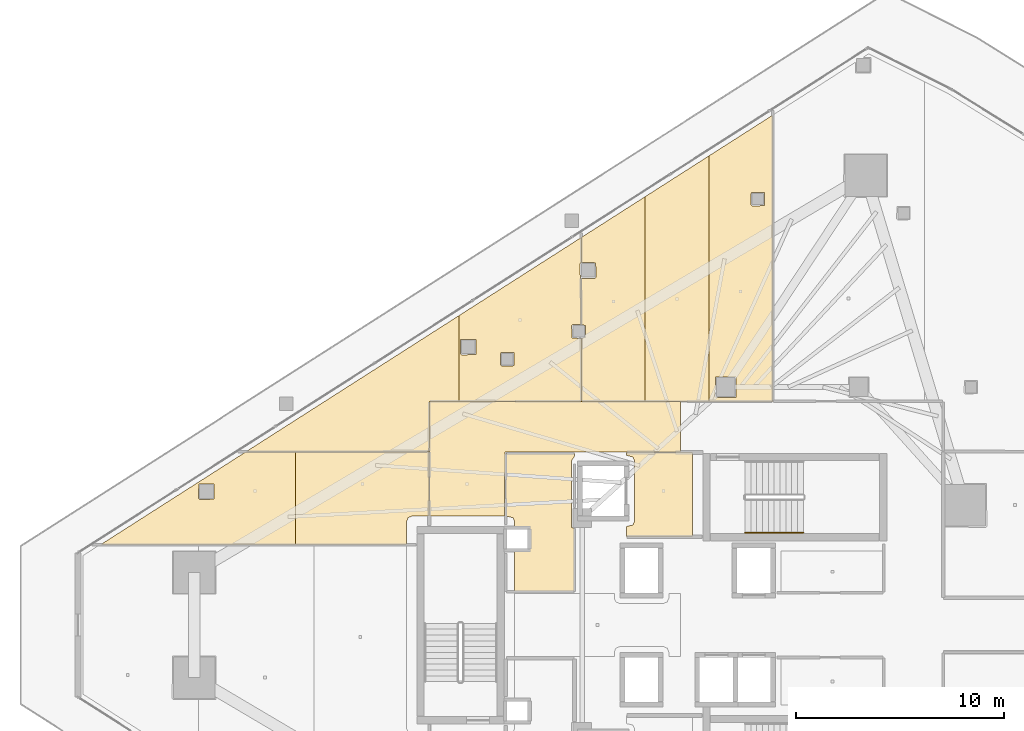
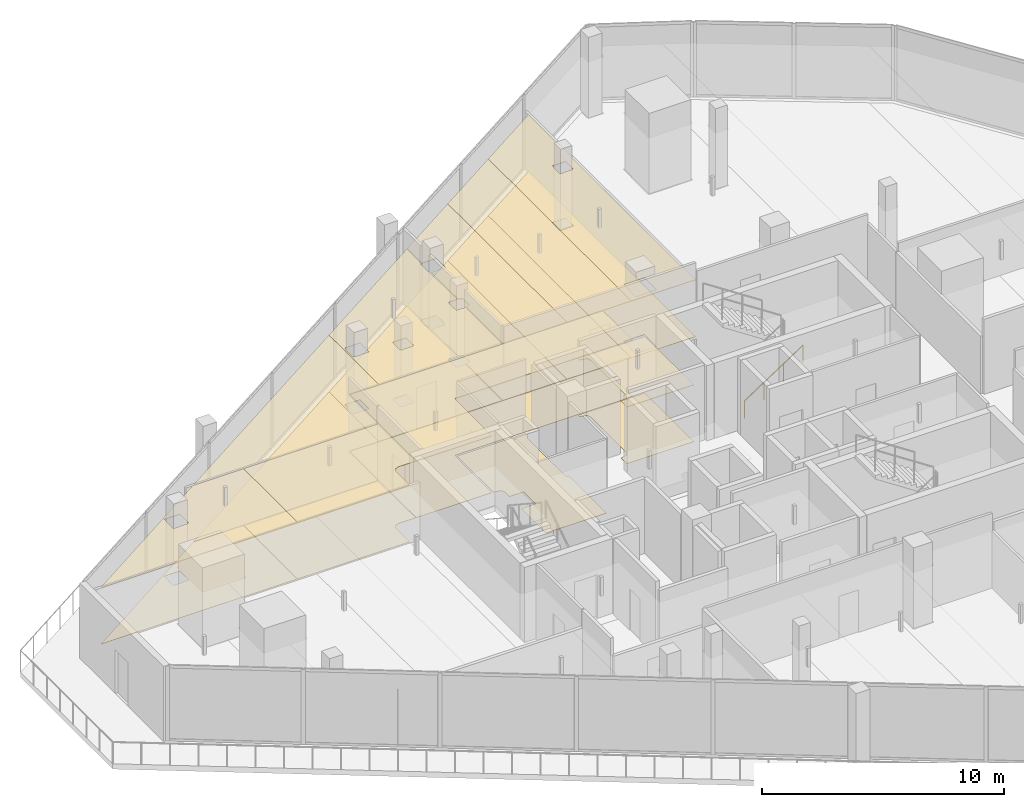
# One storey, part 35 of 36: 19 coverings, 1 railing.
"""IFC4 building model written with IfcOpenShell, lengths in metres."""

from ifc_helpers import new_model, si_unit, direction, frame, origin, origin_2d, place, context, subcontext, project, spatial, polyline, circle, outline, extrude, material, layer, layer_set, type_object, element, save


model = new_model("IFC4")

# Units and contexts
model_context = context("Model", 3, precision=1e-05, world=origin(), true_north=direction((0.0, 1.0)))
body_context = subcontext(model_context, "Body", "Model", "MODEL_VIEW")
ifc_project = project(units=[si_unit("LENGTHUNIT", "METRE"), si_unit("AREAUNIT", "SQUARE_METRE"), si_unit("VOLUMEUNIT", "CUBIC_METRE"), si_unit("PLANEANGLEUNIT", "RADIAN"), si_unit("MASSUNIT", "GRAM", prefix="KILO")], contexts=[model_context])

# Site, building, storey
site_placement = place(None, origin())
site = spatial("IfcSite", under=ifc_project, at=site_placement, CompositionType="ELEMENT")
building_placement = place(site_placement, origin())
building = spatial("IfcBuilding", under=site, at=building_placement, Name="Qorvath Tower", CompositionType="ELEMENT")
storey_placement = place(building_placement, frame((0.0, 0.0, 205.050048828125)))
storey = spatial("IfcBuildingStorey", under=building, at=storey_placement, Name="L47", CompositionType="ELEMENT", Elevation=205.050048828125)

# Coverings
ifc_material_1 = material(Name="Acoustic mineral fibre ceiling tile", Category="gypsum")
ifc_layer_1 = layer(ifc_material_1, 0.030029296875)
ifc_layer_set_1 = layer_set([ifc_layer_1], Name="COV-CEIL")
covering_type_1 = type_object("IfcCoveringType", Name="COV-CEIL", PredefinedType="CEILING", material=ifc_layer_set_1)
covering_1_placement = place(storey_placement, frame((0.0, 0.0, 2.849853515625)))
element("IfcCovering", 1, at=covering_1_placement, inside=storey, type_object=covering_type_1, Name="L47 Suspended Acoustic Ceiling 001", PredefinedType="CEILING", context=body_context, shape_type="SweptSolid", body=[
    extrude(outline(polyline([(-25.18994140625, 4.2548828125), (-25.18994140625, 8.294921875), (-28.375, 8.294921875), (-28.375, 8.159912109375), (-28.063232421875, 8.086669921875), (-27.989990234375, 7.909912109375), (-27.989990234375, 4.989990234375), (-28.063232421875, 4.813232421875), (-28.375, 4.739990234375), (-28.375, 4.2548828125), (-25.18994140625, 4.2548828125)])), origin(), (0.0, 0.0, 1.0), 0.030029296875),
])
covering_2_placement = place(storey_placement, frame((0.0, 0.0, 2.849853515625)))
element("IfcCovering", 2, at=covering_2_placement, inside=storey, type_object=covering_type_1, Name="L47 Suspended Acoustic Ceiling 008", PredefinedType="CEILING", context=body_context, shape_type="SweptSolid", body=[
    extrude(outline(polyline([(-25.76806640625, 8.324951171875), (-25.76806640625, 10.7451171875), (-37.844970703125, 10.7451171875), (-37.844970703125, 5.239990234375), (-34.2509765625, 5.239990234375), (-34.219970703125, 8.324951171875), (-25.76806640625, 8.324951171875)])), origin(), (0.0, 0.0, 1.0), 0.030029296875),
])
covering_3_placement = place(storey_placement, frame((0.0, 0.0, 2.849853515625)))
element("IfcCovering", 3, at=covering_3_placement, inside=storey, type_object=covering_type_1, Name="L47 Suspended Acoustic Ceiling 010", PredefinedType="CEILING", context=body_context, shape_type="SweptSolid", body=[
    extrude(outline(polyline([(-36.43896484375, 10.762939453125), (-36.43896484375, 14.881103515625), (-46.674072265625, 8.341064453125), (-37.863037109375, 8.35498046875), (-37.85791015625, 10.762939453125), (-36.43896484375, 10.762939453125)])), origin(), (0.0, 0.0, 1.0), 0.030029296875),
])
covering_4_placement = place(storey_placement, frame((0.0, 0.0, 2.849853515625)))
element("IfcCovering", 4, at=covering_4_placement, inside=storey, type_object=covering_type_1, Name="L47 Suspended Acoustic Ceiling 011", PredefinedType="CEILING", context=body_context, shape_type="SweptSolid", body=[
    extrude(outline(polyline([(-30.550048828125, 18.643798828125), (-36.43896484375, 14.881103515625), (-36.43896484375, 10.762939453125), (-30.550048828125, 10.762939453125), (-30.550048828125, 13.789306640625), (-30.99462890625, 13.806884765625), (-31.01220703125, 14.3994140625), (-30.9521484375, 14.459228515625), (-30.55029296875, 14.459228515625), (-30.60986328125, 17.384521484375), (-30.550048828125, 17.444580078125), (-30.550048828125, 18.643798828125)]), holes=[polyline([(-34.439208984375, 12.517578125), (-34.421630859375, 13.10986328125), (-33.786865234375, 13.10986328125), (-33.786865234375, 12.47509765625), (-34.379150390625, 12.45751953125), (-34.439208984375, 12.517578125)]), polyline([(-36.36572265625, 13.055908203125), (-36.34814453125, 13.748291015625), (-35.61328125, 13.748291015625), (-35.61328125, 13.013427734375), (-36.3056640625, 12.995849609375), (-36.36572265625, 13.055908203125)])]), origin(), (0.0, 0.0, 1.0), 0.030029296875),
])
covering_5_placement = place(storey_placement, frame((0.0, 0.0, 2.849853515625)))
element("IfcCovering", 5, at=covering_5_placement, inside=storey, type_object=covering_type_1, Name="L47 Suspended Acoustic Ceiling 012", PredefinedType="CEILING", context=body_context, shape_type="SweptSolid", body=[
    extrude(outline(polyline([(-29.89990234375, 16.674560546875), (-30.539794921875, 16.674560546875), (-30.531982421875, 14.459228515625), (-30.34228515625, 14.3994140625), (-30.34228515625, 13.849365234375), (-30.531982421875, 13.789306640625), (-30.531982421875, 10.762939453125), (-27.476806640625, 10.762939453125), (-27.476806640625, 20.60791015625), (-30.531982421875, 18.655517578125), (-30.531982421875, 17.444580078125), (-29.857421875, 17.427001953125), (-29.83984375, 16.734619140625), (-29.89990234375, 16.674560546875)])), origin(), (0.0, 0.0, 1.0), 0.030029296875),
])
covering_6_placement = place(storey_placement, frame((0.0, 0.0, 2.849853515625)))
element("IfcCovering", 6, at=covering_6_placement, inside=storey, type_object=covering_type_1, Name="L47 Suspended Acoustic Ceiling 013", PredefinedType="CEILING", context=body_context, shape_type="SweptSolid", body=[
    extrude(outline(polyline([(-27.476806640625, 20.60791015625), (-27.476806640625, 10.762939453125), (-24.4140625, 10.762939453125), (-24.4140625, 22.565673828125), (-27.476806640625, 20.60791015625)])), origin(), (0.0, 0.0, 1.0), 0.030029296875),
])
covering_7_placement = place(storey_placement, frame((0.0, 0.0, 2.849853515625)))
element("IfcCovering", 7, at=covering_7_placement, inside=storey, type_object=covering_type_1, Name="L47 Suspended Acoustic Ceiling 014", PredefinedType="CEILING", context=body_context, shape_type="SweptSolid", body=[
    extrude(outline(polyline([(-24.4140625, 22.565673828125), (-24.4140625, 10.762939453125), (-21.35107421875, 10.762939453125), (-21.35107421875, 24.523193359375), (-24.4140625, 22.565673828125)]), holes=[polyline([(-22.38818359375, 20.219970703125), (-22.37060546875, 20.812255859375), (-21.73583984375, 20.812255859375), (-21.73583984375, 20.177490234375), (-22.328125, 20.159912109375), (-22.38818359375, 20.219970703125)]), polyline([(-24.110107421875, 11.0), (-24.092529296875, 11.9423828125), (-23.107666015625, 11.9423828125), (-23.107666015625, 10.95751953125), (-24.050048828125, 10.93994140625), (-24.110107421875, 11.0)])]), origin(), (0.0, 0.0, 1.0), 0.030029296875),
])
covering_8_placement = place(storey_placement, frame((0.0, 0.0, 2.849853515625)))
element("IfcCovering", 8, at=covering_8_placement, inside=storey, type_object=covering_type_1, Name="L47 Suspended Acoustic Ceiling 035", PredefinedType="CEILING", context=body_context, shape_type="SweptSolid", body=[
    extrude(outline(polyline([(-44.2958984375, 3.874755859375), (-44.2958984375, 8.33251953125), (-46.686279296875, 8.330810546875), (-53.6611328125, 3.872802734375), (-44.2958984375, 3.874755859375)]), holes=[polyline([(-48.96337890625, 6.099609375), (-48.94580078125, 6.7919921875), (-48.2109375, 6.7919921875), (-48.2109375, 6.05712890625), (-48.9033203125, 6.03955078125), (-48.96337890625, 6.099609375)])]), origin(), (0.0, 0.0, 1.0), 0.030029296875),
])
covering_9_placement = place(storey_placement, frame((0.0, 0.0, 2.849853515625)))
element("IfcCovering", 9, at=covering_9_placement, inside=storey, type_object=covering_type_1, Name="L47 Suspended Acoustic Ceiling 036", PredefinedType="CEILING", context=body_context, shape_type="SweptSolid", body=[
    extrude(outline(polyline([(-37.863037109375, 5.239990234375), (-37.863037109375, 8.3369140625), (-44.2958984375, 8.33251953125), (-44.2958984375, 3.874755859375), (-38.949951171875, 3.8759765625), (-38.949951171875, 4.989990234375), (-38.876708984375, 5.166748046875), (-38.699951171875, 5.239990234375), (-37.863037109375, 5.239990234375)])), origin(), (0.0, 0.0, 1.0), 0.030029296875),
])
ifc_material_2 = material(Name="Low-VOC modular carpet tile", Category="textile")
ifc_layer_2 = layer(ifc_material_2, 0.014892578125)
ifc_layer_set_2 = layer_set([ifc_layer_2], Name="COV-FLOOR-CPT")
covering_type_2 = type_object("IfcCoveringType", Name="COV-FLOOR-CPT", PredefinedType="FLOORING", material=ifc_layer_set_2)
covering_10_placement = place(storey_placement, origin())
element("IfcCovering", 10, at=covering_10_placement, inside=storey, type_object=covering_type_2, Name="L47 Floor Finish 010", PredefinedType="FLOORING", context=body_context, shape_type="SweptSolid", body=[
    extrude(outline(polyline([(-36.43896484375, 10.762939453125), (-36.43896484375, 14.881103515625), (-46.674072265625, 8.341064453125), (-37.863037109375, 8.35498046875), (-37.85791015625, 10.762939453125), (-36.43896484375, 10.762939453125)])), origin(), (0.0, 0.0, 1.0), 0.014892578125),
])
covering_11_placement = place(storey_placement, origin())
element("IfcCovering", 11, at=covering_11_placement, inside=storey, type_object=covering_type_2, Name="L47 Floor Finish 011", PredefinedType="FLOORING", context=body_context, shape_type="SweptSolid", body=[
    extrude(outline(polyline([(-30.550048828125, 18.643798828125), (-36.43896484375, 14.881103515625), (-36.43896484375, 10.762939453125), (-30.550048828125, 10.762939453125), (-30.550048828125, 13.789306640625), (-30.99462890625, 13.806884765625), (-31.01220703125, 14.3994140625), (-30.9521484375, 14.459228515625), (-30.55029296875, 14.459228515625), (-30.60986328125, 17.384521484375), (-30.550048828125, 17.444580078125), (-30.550048828125, 18.643798828125)]), holes=[polyline([(-34.439208984375, 12.517578125), (-34.421630859375, 13.10986328125), (-33.786865234375, 13.10986328125), (-33.786865234375, 12.47509765625), (-34.379150390625, 12.45751953125), (-34.439208984375, 12.517578125)]), polyline([(-36.36572265625, 13.055908203125), (-36.34814453125, 13.748291015625), (-35.61328125, 13.748291015625), (-35.61328125, 13.013427734375), (-36.3056640625, 12.995849609375), (-36.36572265625, 13.055908203125)])]), origin(), (0.0, 0.0, 1.0), 0.014892578125),
])
covering_12_placement = place(storey_placement, origin())
element("IfcCovering", 12, at=covering_12_placement, inside=storey, type_object=covering_type_2, Name="L47 Floor Finish 012", PredefinedType="FLOORING", context=body_context, shape_type="SweptSolid", body=[
    extrude(outline(polyline([(-29.89990234375, 16.674560546875), (-30.539794921875, 16.674560546875), (-30.531982421875, 14.459228515625), (-30.34228515625, 14.3994140625), (-30.34228515625, 13.849365234375), (-30.531982421875, 13.789306640625), (-30.531982421875, 10.762939453125), (-27.476806640625, 10.762939453125), (-27.476806640625, 20.60791015625), (-30.531982421875, 18.655517578125), (-30.531982421875, 17.444580078125), (-29.857421875, 17.427001953125), (-29.83984375, 16.734619140625), (-29.89990234375, 16.674560546875)])), origin(), (0.0, 0.0, 1.0), 0.014892578125),
])
covering_13_placement = place(storey_placement, origin())
element("IfcCovering", 13, at=covering_13_placement, inside=storey, type_object=covering_type_2, Name="L47 Floor Finish 013", PredefinedType="FLOORING", context=body_context, shape_type="SweptSolid", body=[
    extrude(outline(polyline([(-27.476806640625, 20.60791015625), (-27.476806640625, 10.762939453125), (-24.4140625, 10.762939453125), (-24.4140625, 22.565673828125), (-27.476806640625, 20.60791015625)])), origin(), (0.0, 0.0, 1.0), 0.014892578125),
])
covering_14_placement = place(storey_placement, origin())
element("IfcCovering", 14, at=covering_14_placement, inside=storey, type_object=covering_type_2, Name="L47 Floor Finish 014", PredefinedType="FLOORING", context=body_context, shape_type="SweptSolid", body=[
    extrude(outline(polyline([(-24.4140625, 22.565673828125), (-24.4140625, 10.762939453125), (-21.35107421875, 10.762939453125), (-21.35107421875, 24.523193359375), (-24.4140625, 22.565673828125)]), holes=[polyline([(-22.38818359375, 20.219970703125), (-22.37060546875, 20.812255859375), (-21.73583984375, 20.812255859375), (-21.73583984375, 20.177490234375), (-22.328125, 20.159912109375), (-22.38818359375, 20.219970703125)]), polyline([(-24.110107421875, 11.0), (-24.092529296875, 11.9423828125), (-23.107666015625, 11.9423828125), (-23.107666015625, 10.95751953125), (-24.050048828125, 10.93994140625), (-24.110107421875, 11.0)])]), origin(), (0.0, 0.0, 1.0), 0.014892578125),
])
covering_15_placement = place(storey_placement, origin())
element("IfcCovering", 15, at=covering_15_placement, inside=storey, type_object=covering_type_2, Name="L47 Floor Finish 035", PredefinedType="FLOORING", context=body_context, shape_type="SweptSolid", body=[
    extrude(outline(polyline([(-44.2958984375, 3.874755859375), (-44.2958984375, 8.33251953125), (-46.686279296875, 8.330810546875), (-53.6611328125, 3.872802734375), (-44.2958984375, 3.874755859375)]), holes=[polyline([(-48.96337890625, 6.099609375), (-48.94580078125, 6.7919921875), (-48.2109375, 6.7919921875), (-48.2109375, 6.05712890625), (-48.9033203125, 6.03955078125), (-48.96337890625, 6.099609375)])]), origin(), (0.0, 0.0, 1.0), 0.014892578125),
])
covering_16_placement = place(storey_placement, origin())
element("IfcCovering", 16, at=covering_16_placement, inside=storey, type_object=covering_type_2, Name="L47 Floor Finish 036", PredefinedType="FLOORING", context=body_context, shape_type="SweptSolid", body=[
    extrude(outline(polyline([(-37.863037109375, 5.239990234375), (-37.863037109375, 8.3369140625), (-44.2958984375, 8.33251953125), (-44.2958984375, 3.874755859375), (-38.949951171875, 3.8759765625), (-38.949951171875, 4.989990234375), (-38.876708984375, 5.166748046875), (-38.699951171875, 5.239990234375), (-37.863037109375, 5.239990234375)])), origin(), (0.0, 0.0, 1.0), 0.014892578125),
])
ifc_material_3 = material(Name="Polished epoxy terrazzo flooring", Category="concrete")
ifc_layer_3 = layer(ifc_material_3, 0.02001953125)
ifc_layer_set_3 = layer_set([ifc_layer_3], Name="COV-FLOOR-TRZ")
covering_type_3 = type_object("IfcCoveringType", Name="COV-FLOOR-TRZ", PredefinedType="FLOORING", material=ifc_layer_set_3)
covering_17_placement = place(storey_placement, origin())
element("IfcCovering", 17, at=covering_17_placement, inside=storey, type_object=covering_type_3, Name="L47 Floor Finish 001", PredefinedType="FLOORING", context=body_context, shape_type="SweptSolid", body=[
    extrude(outline(polyline([(-25.18994140625, 4.2548828125), (-25.18994140625, 8.294921875), (-28.375, 8.294921875), (-28.375, 8.159912109375), (-28.063232421875, 8.086669921875), (-27.989990234375, 7.909912109375), (-27.989990234375, 4.989990234375), (-28.063232421875, 4.813232421875), (-28.375, 4.739990234375), (-28.375, 4.2548828125), (-25.18994140625, 4.2548828125)])), origin(), (0.0, 0.0, 1.0), 0.014892578125),
])
covering_18_placement = place(storey_placement, origin())
element("IfcCovering", 18, at=covering_18_placement, inside=storey, type_object=covering_type_3, Name="L47 Floor Finish 005", PredefinedType="FLOORING", context=body_context, shape_type="SweptSolid", body=[
    extrude(outline(polyline([(-30.885009765625, 8.2451171875), (-34.175048828125, 8.2451171875), (-34.175048828125, 5.239990234375), (-33.833251953125, 5.166748046875), (-33.760009765625, 4.989990234375), (-33.760009765625, 4.633056640625), (-33.0869140625, 4.6279296875), (-33.08837890625, 3.638427734375), (-33.760009765625, 3.636962890625), (-33.760009765625, 1.60498046875), (-30.885009765625, 1.60498046875), (-30.885009765625, 4.639892578125), (-31.010009765625, 4.699951171875), (-31.010009765625, 7.909912109375), (-30.885009765625, 8.108154296875), (-30.885009765625, 8.2451171875)])), origin(), (0.0, 0.0, 1.0), 0.014892578125),
])
covering_19_placement = place(storey_placement, origin())
element("IfcCovering", 19, at=covering_19_placement, inside=storey, type_object=covering_type_3, Name="L47 Floor Finish 008", PredefinedType="FLOORING", context=body_context, shape_type="SweptSolid", body=[
    extrude(outline(polyline([(-25.76806640625, 8.324951171875), (-25.76806640625, 10.7451171875), (-37.844970703125, 10.7451171875), (-37.844970703125, 5.239990234375), (-34.2509765625, 5.239990234375), (-34.219970703125, 8.324951171875), (-25.76806640625, 8.324951171875)])), origin(), (0.0, 0.0, 1.0), 0.014892578125),
])

# Railing
ifc_material_4 = material(Name="Brushed stainless steel AISI 304", Category="steel")
railing_type = type_object("IfcRailingType", Name="RL-STR-HND", PredefinedType="HANDRAIL", material=ifc_material_4)
railing_placement = place(storey_placement, frame((-22.669921875, 4.449951171875, 0.18408203125)))
element("IfcRailing", 20, at=railing_placement, inside=storey, type_object=railing_type, Name="L47 TS1 stair handrail 1", PredefinedType="HANDRAIL", context=body_context, shape_type="SweptSolid", body=[
    extrude(circle(Radius=0.02392578125, at=origin_2d()), frame((0.0, 0.0, 0.8759765625), z_axis=(0.835575518608, 0.0, 0.549375602573), x_axis=(0.0, 1.0, 0.0)), (0.0, 0.0, 1.0), 3.350830078125),
    extrude(circle(Radius=0.02099609375, at=origin_2d()), origin(), (0.0, 0.0, 1.0), 0.851806640625),
    extrude(circle(Radius=0.02099609375, at=origin_2d()), frame((0.933349609375, 0.0, 0.613525390625)), (0.0, 0.0, 1.0), 0.851806640625),
    extrude(circle(Radius=0.02099609375, at=origin_2d()), frame((1.866455078125, 0.0, 1.227294921875)), (0.0, 0.0, 1.0), 0.851806640625),
    extrude(circle(Radius=0.02099609375, at=origin_2d()), frame((2.7998046875, 0.0, 1.8408203125)), (0.0, 0.0, 1.0), 0.851806640625),
])

save(model, "model.ifc")
